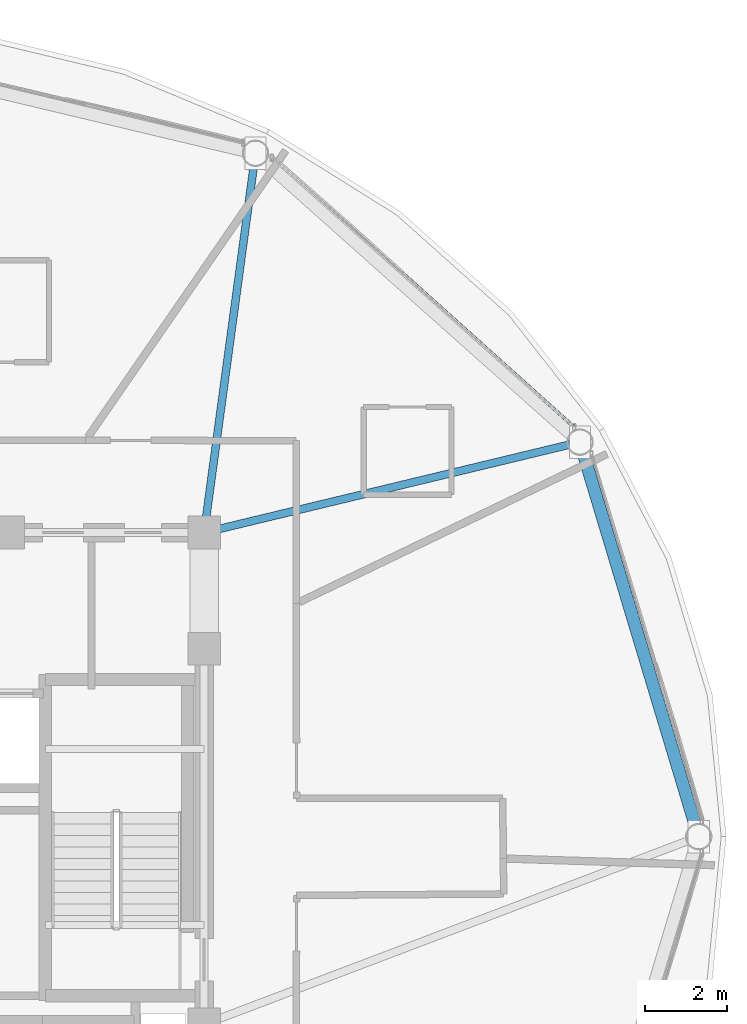
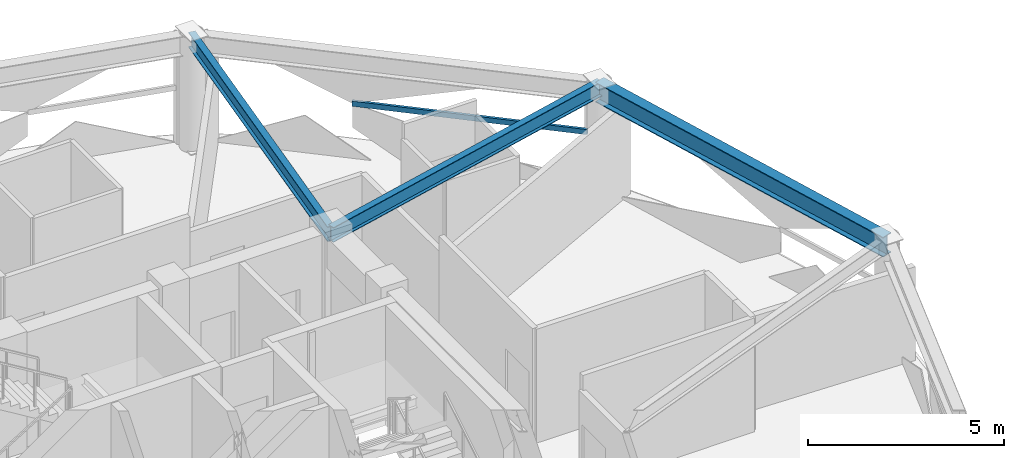
# One storey, part 14 of 28: 3 beams, 1 member, 1 element without a shape of its own.
"""IFC4 building model written with IfcOpenShell, lengths in metres."""

from ifc_helpers import new_model, si_unit, direction, frame, origin, origin_2d, place, context, subcontext, project, spatial, hollow_rectangle, i_section, extrude, material, layer, layer_set, material_profile, profile_set, type_object, element, aggregate, save


model = new_model("IFC4")

# Units and contexts
model_context = context("Model", 3, precision=1e-05, world=origin(), true_north=direction((0.0, 1.0)))
body_context = subcontext(model_context, "Body", "Model", "MODEL_VIEW")
ifc_project = project(units=[si_unit("LENGTHUNIT", "METRE"), si_unit("AREAUNIT", "SQUARE_METRE"), si_unit("VOLUMEUNIT", "CUBIC_METRE"), si_unit("PLANEANGLEUNIT", "RADIAN"), si_unit("MASSUNIT", "GRAM", prefix="KILO")], contexts=[model_context])

# Site, building, storey
site_placement = place(None, origin())
site = spatial("IfcSite", under=ifc_project, at=site_placement, CompositionType="ELEMENT")
building_placement = place(site_placement, origin())
building = spatial("IfcBuilding", under=site, at=building_placement, Name="Vantalir Tower", CompositionType="ELEMENT")
storey_placement = place(building_placement, frame((0.0, 0.0, 238.64990234375)))
storey = spatial("IfcBuildingStorey", under=building, at=storey_placement, Name="L60", CompositionType="ELEMENT", Elevation=238.64990234375)

# Beams
ifc_material_1 = material(Name="Steel S355", Category="steel")
ifc_material_profile_1 = material_profile(ifc_material_1, i_section(OverallWidth=0.19189453125, OverallDepth=0.462890625, WebThickness=0.010498046875, FlangeThickness=0.017578125, at=origin_2d()), Name="Steel S355")
ifc_profile_set_1 = profile_set([ifc_material_profile_1], Name="Steel S355")
beam_type_1 = type_object("IfcBeamType", Name="BM-RB-457x191", PredefinedType="BEAM", material=ifc_profile_set_1)
beam_1_placement = place(storey_placement, frame((50.30810546875, 34.666015625, 3.338134765625), z_axis=(-0.972239928785, -0.233986155308, 0.0), x_axis=(0.233986155308, -0.972239928785, 0.0)))
element("IfcBeam", 1, at=beam_1_placement, inside=storey, type_object=beam_type_1, Name="L60 Radial Floor Beam 02", PredefinedType="BEAM", context=body_context, shape_type="SweptSolid", body=[
    extrude(i_section(OverallWidth=0.19189453125, OverallDepth=0.462890625, WebThickness=0.010498046875, FlangeThickness=0.017578125, at=origin_2d()), origin(), (0.0, 0.0, 1.0), 9.470947265625),
])
beam_2_placement = place(storey_placement, frame((42.35888671875, 41.742919921875, 3.338134765625), z_axis=(-0.134230220125, -0.99095017433, 0.0), x_axis=(0.99095017433, -0.134230220125, 0.0)))
element("IfcBeam", 2, at=beam_2_placement, inside=storey, type_object=beam_type_1, Name="L60 Radial Floor Beam 03", PredefinedType="BEAM", context=body_context, shape_type="SweptSolid", body=[
    extrude(i_section(OverallWidth=0.19189453125, OverallDepth=0.462890625, WebThickness=0.010498046875, FlangeThickness=0.017578125, at=origin_2d()), origin(), (0.0, 0.0, 1.0), 9.3779296875),
])
ifc_material_2 = material(Name="Steel S460", Category="steel")
ifc_material_profile_2 = material_profile(ifc_material_2, i_section(OverallWidth=0.306884765625, OverallDepth=0.6201171875, WebThickness=0.01416015625, FlangeThickness=0.023681640625, at=origin_2d()), Name="Steel S460")
ifc_profile_set_2 = profile_set([ifc_material_profile_2], Name="Steel S460")
beam_type_2 = type_object("IfcBeamType", Name="BM-RG-610x305", PredefinedType="USERDEFINED", material=ifc_profile_set_2)
beam_3_placement = place(storey_placement, frame((53.218017578125, 25.0, 3.260009765625), z_axis=(-0.288266356679, 0.95755026375, 0.0), x_axis=(-0.95755026375, -0.288266356679, 0.0)))
element("IfcBeam", 3, at=beam_3_placement, inside=storey, type_object=beam_type_2, Name="L60 Circumferential Ring Girder 01", ObjectType="GIRDER", PredefinedType="USERDEFINED", context=body_context, shape_type="SweptSolid", body=[
    extrude(i_section(OverallWidth=0.306884765625, OverallDepth=0.6201171875, WebThickness=0.01416015625, FlangeThickness=0.023681640625, at=origin_2d()), origin(), (0.0, 0.0, 1.0), 10.094482421875),
])

# Curtain wall, member
ifc_material_3 = material(Name="Champagne-silver PVDF aluminium and double-silver Low-E glass", Category="aluminium")
ifc_layer = layer(ifc_material_3, 0.2099609375)
ifc_layer_set = layer_set([ifc_layer], Name="Champagne-silver PVDF aluminium and double-silver Low-E glass")
curtain_wall_type = type_object("IfcCurtainWallType", Name="CW-DIAMOND-Z3", PredefinedType="USERDEFINED", material=ifc_layer_set)
curtain_wall_placement = place(storey_placement, origin())
curtain_wall = element("IfcCurtainWall", 4, at=curtain_wall_placement, inside=storey, type_object=curtain_wall_type, Name="L60 Quilted Pyramid-Diamond Curtain Wall S02", ObjectType="UNITISED CURTAIN WALL", PredefinedType="USERDEFINED")
ifc_material_4 = material(Name="Champagne-silver PVDF aluminium 6063-T6", Category="aluminium")
ifc_material_profile_3 = material_profile(ifc_material_4, hollow_rectangle(XDim=0.074951171875, YDim=0.159912109375, WallThickness=0.00390625, at=origin_2d()), Name="Champagne-silver PVDF aluminium 6063-T6")
ifc_profile_set_3 = profile_set([ifc_material_profile_3], Name="Champagne-silver PVDF aluminium 6063-T6")
member_type = type_object("IfcMemberType", Name="CWT-160x75", PredefinedType="USERDEFINED", material=ifc_profile_set_3)
member_placement = place(storey_placement, frame((50.1669921875, 35.033935546875, 1.78515625), z_axis=(-0.743966941131, 0.668216424899, 0.0), x_axis=(-0.668216424899, -0.743966941131, 0.0)))
member = element("IfcMember", 5, at=member_placement, type_object=member_type, Name="CW-L60-S02 Pyramid Fold Ridge Transom", ObjectType="TRANSOM", PredefinedType="USERDEFINED", context=body_context, shape_type="SweptSolid", body=[
    extrude(hollow_rectangle(XDim=0.074951171875, YDim=0.159912109375, WallThickness=0.00390625, at=origin_2d()), origin(), (0.0, 0.0, 1.0), 6.1494140625),
])
aggregate(curtain_wall, [member])

save(model, "model.ifc")
